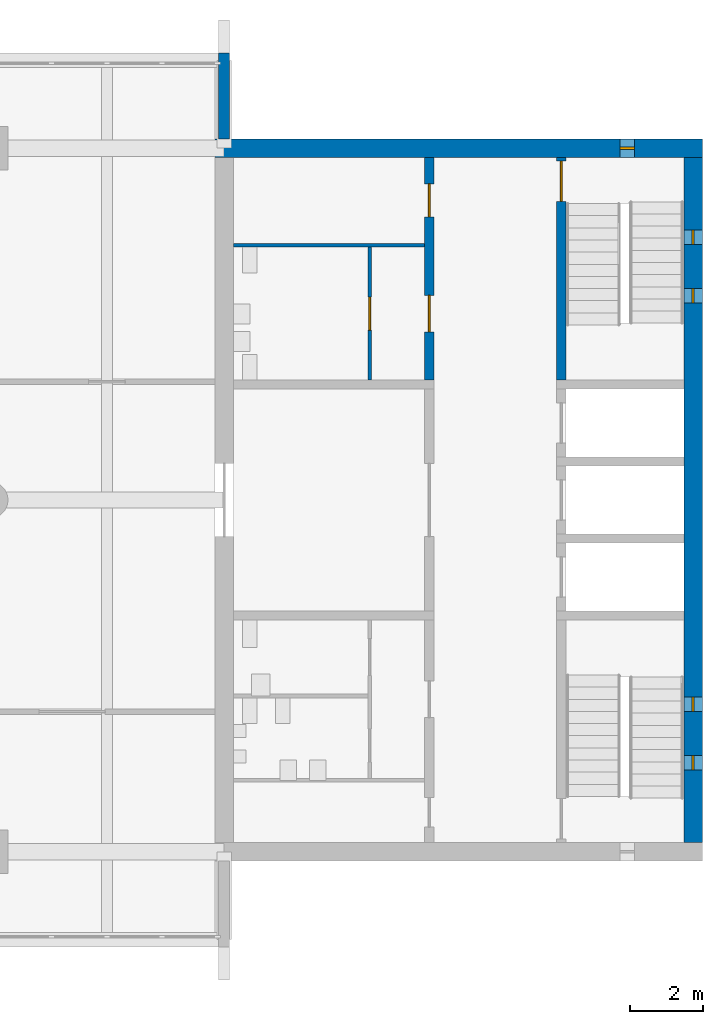
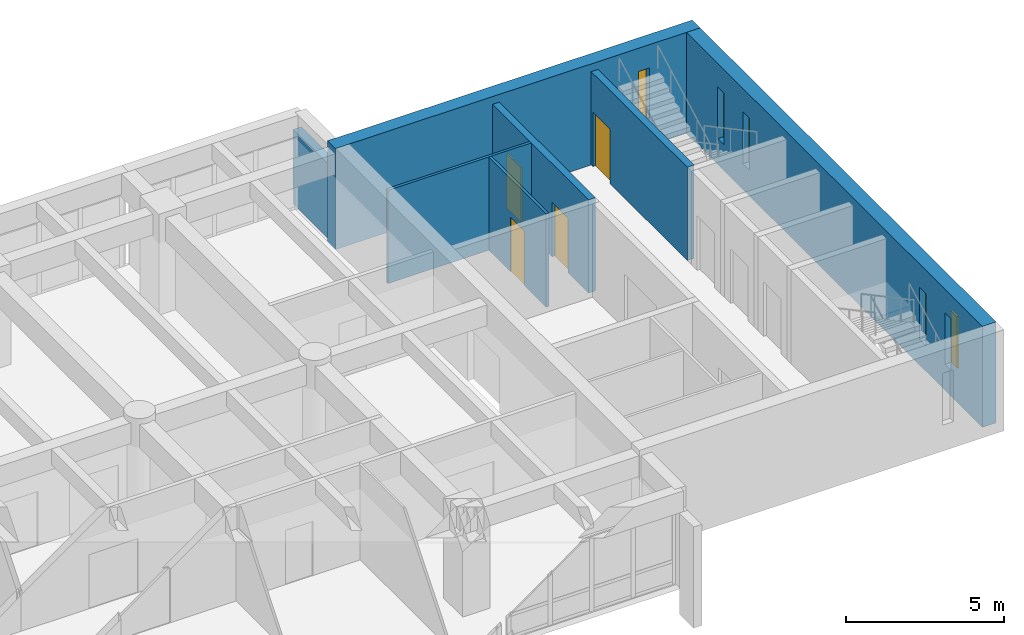
# One storey, part 12 of 15: 7 walls, 5 windows, 4 doors, 9 openings.
"""IFC4 building model written with IfcOpenShell, lengths in metres."""

from ifc_helpers import new_model, si_unit, direction, frame, frame_2d, origin, place, context, subcontext, project, spatial, rectangle, extrude, material, layer, layer_set, type_object, element, fill, save


model = new_model("IFC4")

# Units and contexts
model_context = context("Model", 3, precision=1e-05, world=origin(), true_north=direction((0.0, 1.0)))
body_context = subcontext(model_context, "Body", "Model", "MODEL_VIEW")
ifc_project = project(units=[si_unit("LENGTHUNIT", "METRE"), si_unit("AREAUNIT", "SQUARE_METRE"), si_unit("VOLUMEUNIT", "CUBIC_METRE"), si_unit("PLANEANGLEUNIT", "RADIAN"), si_unit("MASSUNIT", "GRAM", prefix="KILO")], contexts=[model_context])

# Site, building, storey
site_placement = place(None, origin())
site = spatial("IfcSite", under=ifc_project, at=site_placement, CompositionType="ELEMENT")
building_placement = place(site_placement, origin())
building = spatial("IfcBuilding", under=site, at=building_placement, Name="Fogon Plaza Fire Station and Headquarters Tower", CompositionType="ELEMENT")
storey_placement = place(building_placement, frame((0.0, 0.0, 28.800048828125)))
storey = spatial("IfcBuildingStorey", under=building, at=storey_placement, Name="L07", CompositionType="ELEMENT", Elevation=28.800048828125)

# Wall, opening, door
ifc_material_1 = material(Name="Concrete C40", Category="concrete")
ifc_layer_1 = layer(ifc_material_1, 0.25)
ifc_layer_set_1 = layer_set([ifc_layer_1], Name="Concrete C40")
wall_type_1 = type_object("IfcWallType", Name="Core Wall RC 250", PredefinedType="SOLIDWALL", material=ifc_layer_set_1)
wall_1_placement = place(storey_placement, frame((73.199951171875, 46.47509765625, 0.0), z_axis=(0.0, 0.0, 1.0), x_axis=(0.0, 1.0, 0.0)))
wall_1 = element("IfcWall", 1, at=wall_1_placement, inside=storey, type_object=wall_type_1, Name="Core B shaft wall", PredefinedType="SOLIDWALL", context=body_context, shape_type="SweptSolid", body=[
    extrude(rectangle(XDim=6.074951171875, YDim=0.25, at=frame_2d((3.03759765625, 0.0))), origin(), (0.0, 0.0, 1.0), 3.599853515625),
])
opening_1_placement = place(wall_1_placement, frame((4.875, 0.0, 0.0)))
opening_1 = element("IfcOpeningElement", 2, at=opening_1_placement, cuts=wall_1, Name="Opening L07-D16", PredefinedType="OPENING", context=body_context, shape_type="SweptSolid", body=[
    extrude(rectangle(XDim=1.10009765625, YDim=2.10009765625, at=frame_2d((0.550048828125, 1.050048828125))), frame((0.0, 0.135009765625, 0.0), z_axis=(0.0, -1.0, 0.0), x_axis=(1.0, 0.0, 0.0)), (0.0, 0.0, 1.0), 0.27001953125),
])
ifc_material_2 = material(Name="Steel Fire Door Leaf", Category="steel")
door_type_1 = type_object("IfcDoorType", Name="Stair Door Single 1100x2100", OperationType="SINGLE_SWING_LEFT", PredefinedType="DOOR", material=ifc_material_2)
door_1_placement = place(opening_1_placement, frame((1.10009765625, 0.0, 0.0), z_axis=(0.0, 0.0, 1.0), x_axis=(-1.0, 0.0, 0.0)))
door_1 = element("IfcDoor", 3, at=door_1_placement, inside=storey, type_object=door_type_1, Name="Stair door ST4", OperationType="SINGLE_SWING_LEFT", OverallHeight=2.10009765625, OverallWidth=1.10009765625, PredefinedType="DOOR", context=body_context, shape_type="SweptSolid", body=[
    extrude(rectangle(XDim=1.10009765625, YDim=2.10009765625, at=frame_2d((0.550048828125, 1.050048828125))), frame((0.0, 0.02490234375, 0.0), z_axis=(0.0, -1.0, 0.0), x_axis=(1.0, 0.0, 0.0)), (0.0, 0.0, 1.0), 0.050048828125),
])
fill(opening_1, door_1)

# Wall, openings, doors
wall_2_placement = place(storey_placement, frame((69.60009765625, 46.47509765625, 0.0), z_axis=(0.0, 0.0, 1.0), x_axis=(0.0, 1.0, 0.0)))
wall_2 = element("IfcWall", 4, at=wall_2_placement, inside=storey, type_object=wall_type_1, Name="Core B shaft wall", PredefinedType="SOLIDWALL", context=body_context, shape_type="SweptSolid", body=[
    extrude(rectangle(XDim=6.074951171875, YDim=0.25, at=frame_2d((3.03759765625, 0.0))), origin(), (0.0, 0.0, 1.0), 3.599853515625),
])
opening_2_placement = place(wall_2_placement, frame((1.3125, 0.0, 0.0)))
opening_2 = element("IfcOpeningElement", 5, at=opening_2_placement, cuts=wall_2, Name="Opening L07-D26", PredefinedType="OPENING", context=body_context, shape_type="SweptSolid", body=[
    extrude(rectangle(XDim=1.0, YDim=2.10009765625, at=frame_2d((0.5, 1.050048828125))), frame((0.0, 0.135009765625, 0.0), z_axis=(0.0, -1.0, 0.0), x_axis=(1.0, 0.0, 0.0)), (0.0, 0.0, 1.0), 0.27001953125),
])
opening_3_placement = place(wall_2_placement, frame((4.449951171875, 0.0, 0.0)))
opening_3 = element("IfcOpeningElement", 6, at=opening_3_placement, cuts=wall_2, Name="Opening L07-D28", PredefinedType="OPENING", context=body_context, shape_type="SweptSolid", body=[
    extrude(rectangle(XDim=0.89990234375, YDim=2.10009765625, at=frame_2d((0.449951171875, 1.050048828125))), frame((0.0, 0.135009765625, 0.0), z_axis=(0.0, -1.0, 0.0), x_axis=(1.0, 0.0, 0.0)), (0.0, 0.0, 1.0), 0.27001953125),
])
ifc_material_3 = material(Name="Steel Fire Door Leaf", Category="steel")
door_type_2 = type_object("IfcDoorType", Name="Riser Single 900x2100", OperationType="SINGLE_SWING_LEFT", PredefinedType="DOOR", material=ifc_material_3)
door_2_placement = place(opening_3_placement, origin())
door_2 = element("IfcDoor", 7, at=door_2_placement, inside=storey, type_object=door_type_2, Name="Riser room B door", OperationType="SINGLE_SWING_LEFT", OverallHeight=2.10009765625, OverallWidth=0.89990234375, PredefinedType="DOOR", context=body_context, shape_type="SweptSolid", body=[
    extrude(rectangle(XDim=0.89990234375, YDim=2.10009765625, at=frame_2d((0.449951171875, 1.050048828125))), frame((0.0, 0.02490234375, 0.0), z_axis=(0.0, -1.0, 0.0), x_axis=(1.0, 0.0, 0.0)), (0.0, 0.0, 1.0), 0.050048828125),
])
fill(opening_3, door_2)
ifc_material_4 = material(Name="Timber fire door", Category="wood")
door_type_3 = type_object("IfcDoorType", Name="WC Lobby Single 1000x2100", OperationType="SINGLE_SWING_LEFT", PredefinedType="DOOR", material=ifc_material_4)
door_3_placement = place(opening_2_placement, origin())
door_3 = element("IfcDoor", 8, at=door_3_placement, inside=storey, type_object=door_type_3, Name="Women's WC lobby B door", OperationType="SINGLE_SWING_LEFT", OverallHeight=2.10009765625, OverallWidth=1.0, PredefinedType="DOOR", context=body_context, shape_type="SweptSolid", body=[
    extrude(rectangle(XDim=1.0, YDim=2.10009765625, at=frame_2d((0.5, 1.050048828125))), frame((0.0, 0.02490234375, 0.0), z_axis=(0.0, -1.0, 0.0), x_axis=(1.0, 0.0, 0.0)), (0.0, 0.0, 1.0), 0.050048828125),
])
fill(opening_2, door_3)

# Wall
ifc_material_5 = material(Name="Concrete C40", Category="concrete")
ifc_layer_2 = layer(ifc_material_5, 0.300048828125)
ifc_layer_set_2 = layer_set([ifc_layer_2], Name="Concrete C40")
wall_type_2 = type_object("IfcWallType", Name="Fair-faced RC Return Panel 300", PredefinedType="SOLIDWALL", material=ifc_layer_set_2)
wall_3_placement = place(storey_placement, frame((64.0, 53.050048828125, 0.0), z_axis=(0.0, 0.0, 1.0), x_axis=(0.0, 1.0, 0.0)))
element("IfcWall", 9, at=wall_3_placement, inside=storey, type_object=wall_type_2, Name="Bar end return EN L07", PredefinedType="SOLIDWALL", context=body_context, shape_type="SweptSolid", body=[
    extrude(rectangle(XDim=2.349853515625, YDim=0.300048828125, at=frame_2d((1.1748046875, 0.0))), origin(), (0.0, 0.0, 1.0), 2.8798828125),
])

# Wall, opening, door
ifc_material_6 = material(Name="Blockwork", Category="masonry")
ifc_layer_3 = layer(ifc_material_6, 0.10009765625)
ifc_layer_set_3 = layer_set([ifc_layer_3], Name="Blockwork")
wall_type_3 = type_object("IfcWallType", Name="Partition Blockwork 100", PredefinedType="PARTITIONING", material=ifc_layer_set_3)
wall_4_placement = place(storey_placement, frame((67.97509765625, 46.47509765625, 0.0), z_axis=(0.0, 0.0, 1.0), x_axis=(0.0, 1.0, 0.0)))
wall_4 = element("IfcWall", 10, at=wall_4_placement, inside=storey, type_object=wall_type_3, Name="WC block partition", PredefinedType="PARTITIONING", context=body_context, shape_type="SweptSolid", body=[
    extrude(rectangle(XDim=3.625, YDim=0.10009765625, at=frame_2d((1.8125, 0.0))), origin(), (0.0, 0.0, 1.0), 3.599853515625),
])
opening_4_placement = place(wall_4_placement, frame((1.362548828125, 0.0, 0.0)))
opening_4 = element("IfcOpeningElement", 11, at=opening_4_placement, cuts=wall_4, Name="Opening L07-D27", PredefinedType="OPENING", context=body_context, shape_type="SweptSolid", body=[
    extrude(rectangle(XDim=0.89990234375, YDim=2.10009765625, at=frame_2d((0.449951171875, 1.050048828125))), frame((0.0, 0.06005859375, 0.0), z_axis=(0.0, -1.0, 0.0), x_axis=(1.0, 0.0, 0.0)), (0.0, 0.0, 1.0), 0.1201171875),
])
ifc_material_7 = material(Name="Timber Door Leaf", Category="wood")
door_type_4 = type_object("IfcDoorType", Name="WC Single 900x2100", OperationType="SINGLE_SWING_LEFT", PredefinedType="DOOR", material=ifc_material_7)
door_4_placement = place(opening_4_placement, origin())
door_4 = element("IfcDoor", 12, at=door_4_placement, inside=storey, type_object=door_type_4, Name="Women's WC B door", OperationType="SINGLE_SWING_RIGHT", OverallHeight=2.10009765625, OverallWidth=0.89990234375, PredefinedType="DOOR", context=body_context, shape_type="SweptSolid", body=[
    extrude(rectangle(XDim=0.89990234375, YDim=2.10009765625, at=frame_2d((0.449951171875, 1.050048828125))), frame((0.0, 0.02490234375, 0.0), z_axis=(0.0, -1.0, 0.0), x_axis=(1.0, 0.0, 0.0)), (0.0, 0.0, 1.0), 0.050048828125),
])
fill(opening_4, door_4)

# Wall
ifc_material_8 = material(Name="Blockwork", Category="masonry")
ifc_layer_4 = layer(ifc_material_8, 0.10009765625)
ifc_layer_set_4 = layer_set([ifc_layer_4], Name="Blockwork")
wall_type_4 = type_object("IfcWallType", Name="Riser Partition Blockwork 100", PredefinedType="PARTITIONING", material=ifc_layer_set_4)
wall_5_placement = place(storey_placement, frame((69.47509765625, 50.14990234375, 0.0), z_axis=(0.0, 0.0, 1.0), x_axis=(-1.0, 0.0, 0.0)))
element("IfcWall", 13, at=wall_5_placement, inside=storey, type_object=wall_type_4, Name="Riser room partition", PredefinedType="PARTITIONING", context=body_context, shape_type="SweptSolid", body=[
    extrude(rectangle(XDim=5.22509765625, YDim=0.10009765625, at=frame_2d((2.612548828125, 0.0))), origin(), (0.0, 0.0, 1.0), 3.599853515625),
])

# Wall, opening, window
ifc_material_9 = material(Name="Concrete C40", Category="concrete")
ifc_layer_5 = layer(ifc_material_9, 0.5)
ifc_layer_set_5 = layer_set([ifc_layer_5], Name="Concrete C40")
wall_type_5 = type_object("IfcWallType", Name="Shear wall 500 SW50", PredefinedType="SHEAR", material=ifc_layer_set_5)
wall_6_placement = place(storey_placement, frame((63.75, 52.800048828125, 0.0), z_axis=(0.0, 0.0, 1.0), x_axis=(1.0, 0.0, 0.0)))
wall_6 = element("IfcWall", 14, at=wall_6_placement, inside=storey, type_object=wall_type_5, Name="wall-coreB-N-L07", PredefinedType="SHEAR", context=body_context, shape_type="SweptSolid", body=[
    extrude(rectangle(XDim=13.300048828125, YDim=0.5, at=frame_2d((6.64990234375, 0.0))), origin(), (0.0, 0.0, 1.0), 3.89990234375),
])
opening_5_placement = place(wall_6_placement, frame((11.050048828125, 0.0, 1.0)))
opening_5 = element("IfcOpeningElement", 15, at=opening_5_placement, cuts=wall_6, Name="Opening WS1", PredefinedType="OPENING", context=body_context, shape_type="SweptSolid", body=[
    extrude(rectangle(XDim=0.39990234375, YDim=2.0, at=frame_2d((0.199951171875, 1.0))), frame((0.0, 0.260009765625, 0.0), z_axis=(0.0, -1.0, 0.0), x_axis=(1.0, 0.0, 0.0)), (0.0, 0.0, 1.0), 0.52001953125),
])
ifc_material_10 = material(Name="Aluminium framed double glazing", Category="aluminium")
window_type = type_object("IfcWindowType", Name="Slit Window WS1 400x2000", PartitioningType="SINGLE_PANEL", PredefinedType="WINDOW", material=ifc_material_10)
window_1_placement = place(opening_5_placement, origin())
window_1 = element("IfcWindow", 16, at=window_1_placement, inside=storey, type_object=window_type, Name="Slit window B6 L07", OverallHeight=2.0, OverallWidth=0.39990234375, PartitioningType="SINGLE_PANEL", PredefinedType="WINDOW", context=body_context, shape_type="SweptSolid", body=[
    extrude(rectangle(XDim=0.39990234375, YDim=2.0, at=frame_2d((0.199951171875, 1.0))), frame((0.0, 0.030029296875, 0.0), z_axis=(0.0, -1.0, 0.0), x_axis=(1.0, 0.0, 0.0)), (0.0, 0.0, 1.0), 0.06005859375),
])
fill(opening_5, window_1)

# Wall, openings, windows
wall_7_placement = place(storey_placement, frame((76.800048828125, 33.85009765625, 0.0), z_axis=(0.0, 0.0, 1.0), x_axis=(0.0, 1.0, 0.0)))
wall_7 = element("IfcWall", 17, at=wall_7_placement, inside=storey, type_object=wall_type_5, Name="wall-coreB-E-L07", PredefinedType="SHEAR", context=body_context, shape_type="SweptSolid", body=[
    extrude(rectangle(XDim=18.699951171875, YDim=0.5, at=frame_2d((9.35009765625, 0.0))), origin(), (0.0, 0.0, 1.0), 3.89990234375),
])
opening_6_placement = place(wall_7_placement, frame((1.97509765625, 0.0, 1.0)))
opening_6 = element("IfcOpeningElement", 18, at=opening_6_placement, cuts=wall_7, Name="Opening WS1", PredefinedType="OPENING", context=body_context, shape_type="SweptSolid", body=[
    extrude(rectangle(XDim=0.39990234375, YDim=2.0, at=frame_2d((0.199951171875, 1.0))), frame((0.0, 0.260009765625, 0.0), z_axis=(0.0, -1.0, 0.0), x_axis=(1.0, 0.0, 0.0)), (0.0, 0.0, 1.0), 0.52001953125),
])
opening_7_placement = place(wall_7_placement, frame((3.574951171875, 0.0, 1.0)))
opening_7 = element("IfcOpeningElement", 19, at=opening_7_placement, cuts=wall_7, Name="Opening WS1", PredefinedType="OPENING", context=body_context, shape_type="SweptSolid", body=[
    extrude(rectangle(XDim=0.39990234375, YDim=2.0, at=frame_2d((0.199951171875, 1.0))), frame((0.0, 0.260009765625, 0.0), z_axis=(0.0, -1.0, 0.0), x_axis=(1.0, 0.0, 0.0)), (0.0, 0.0, 1.0), 0.52001953125),
])
opening_8_placement = place(wall_7_placement, frame((14.72509765625, 0.0, 1.0)))
opening_8 = element("IfcOpeningElement", 20, at=opening_8_placement, cuts=wall_7, Name="Opening WS1", PredefinedType="OPENING", context=body_context, shape_type="SweptSolid", body=[
    extrude(rectangle(XDim=0.39990234375, YDim=2.0, at=frame_2d((0.199951171875, 1.0))), frame((0.0, 0.260009765625, 0.0), z_axis=(0.0, -1.0, 0.0), x_axis=(1.0, 0.0, 0.0)), (0.0, 0.0, 1.0), 0.52001953125),
])
opening_9_placement = place(wall_7_placement, frame((16.324951171875, 0.0, 1.0)))
opening_9 = element("IfcOpeningElement", 21, at=opening_9_placement, cuts=wall_7, Name="Opening WS1", PredefinedType="OPENING", context=body_context, shape_type="SweptSolid", body=[
    extrude(rectangle(XDim=0.39990234375, YDim=2.0, at=frame_2d((0.199951171875, 1.0))), frame((0.0, 0.260009765625, 0.0), z_axis=(0.0, -1.0, 0.0), x_axis=(1.0, 0.0, 0.0)), (0.0, 0.0, 1.0), 0.52001953125),
])
window_2_placement = place(opening_6_placement, origin())
window_2 = element("IfcWindow", 22, at=window_2_placement, inside=storey, type_object=window_type, Name="Slit window B1 L07", OverallHeight=2.0, OverallWidth=0.39990234375, PartitioningType="SINGLE_PANEL", PredefinedType="WINDOW", context=body_context, shape_type="SweptSolid", body=[
    extrude(rectangle(XDim=0.39990234375, YDim=2.0, at=frame_2d((0.199951171875, 1.0))), frame((0.0, 0.030029296875, 0.0), z_axis=(0.0, -1.0, 0.0), x_axis=(1.0, 0.0, 0.0)), (0.0, 0.0, 1.0), 0.06005859375),
])
fill(opening_6, window_2)
window_3_placement = place(opening_7_placement, origin())
window_3 = element("IfcWindow", 23, at=window_3_placement, inside=storey, type_object=window_type, Name="Slit window B2 L07", OverallHeight=2.0, OverallWidth=0.39990234375, PartitioningType="SINGLE_PANEL", PredefinedType="WINDOW", context=body_context, shape_type="SweptSolid", body=[
    extrude(rectangle(XDim=0.39990234375, YDim=2.0, at=frame_2d((0.199951171875, 1.0))), frame((0.0, 0.030029296875, 0.0), z_axis=(0.0, -1.0, 0.0), x_axis=(1.0, 0.0, 0.0)), (0.0, 0.0, 1.0), 0.06005859375),
])
fill(opening_7, window_3)
window_4_placement = place(opening_8_placement, origin())
window_4 = element("IfcWindow", 24, at=window_4_placement, inside=storey, type_object=window_type, Name="Slit window B3 L07", OverallHeight=2.0, OverallWidth=0.39990234375, PartitioningType="SINGLE_PANEL", PredefinedType="WINDOW", context=body_context, shape_type="SweptSolid", body=[
    extrude(rectangle(XDim=0.39990234375, YDim=2.0, at=frame_2d((0.199951171875, 1.0))), frame((0.0, 0.030029296875, 0.0), z_axis=(0.0, -1.0, 0.0), x_axis=(1.0, 0.0, 0.0)), (0.0, 0.0, 1.0), 0.06005859375),
])
fill(opening_8, window_4)
window_5_placement = place(opening_9_placement, origin())
window_5 = element("IfcWindow", 25, at=window_5_placement, inside=storey, type_object=window_type, Name="Slit window B4 L07", OverallHeight=2.0, OverallWidth=0.39990234375, PartitioningType="SINGLE_PANEL", PredefinedType="WINDOW", context=body_context, shape_type="SweptSolid", body=[
    extrude(rectangle(XDim=0.39990234375, YDim=2.0, at=frame_2d((0.199951171875, 1.0))), frame((0.0, 0.030029296875, 0.0), z_axis=(0.0, -1.0, 0.0), x_axis=(1.0, 0.0, 0.0)), (0.0, 0.0, 1.0), 0.06005859375),
])
fill(opening_9, window_5)

save(model, "model.ifc")
